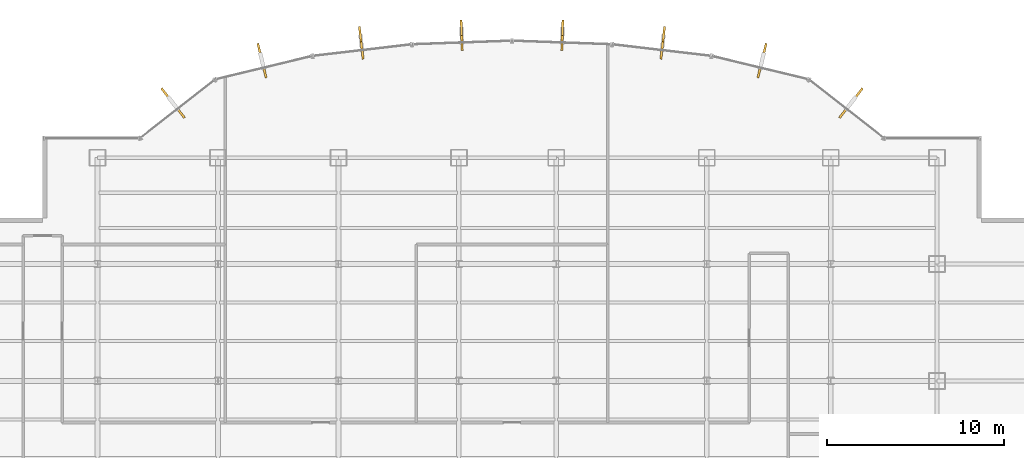
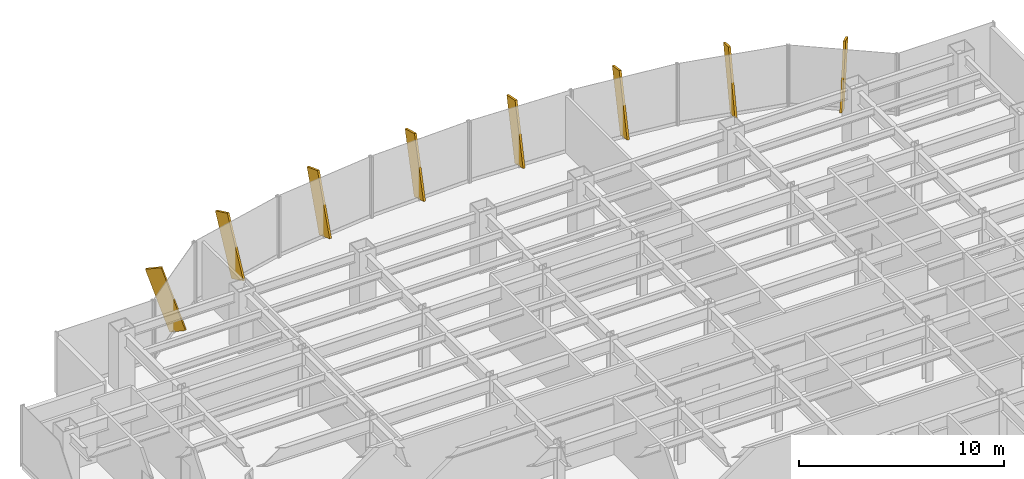
# One storey, part 21 of 22: 8 shading devices.
"""IFC4 building model written with IfcOpenShell, lengths in metres."""

from ifc_helpers import new_model, si_unit, derived_unit, direction, frame, origin, origin_2d, place, context, subcontext, project, spatial, rectangle, extrude, source, transform, mapped, material, type_object, element, save


model = new_model("IFC4")

# Units and contexts
model_context = context("Model", 3, precision=1e-05, world=origin(), true_north=direction((0.0, 1.0)))
body_context = subcontext(model_context, "Body", "Model", "MODEL_VIEW")
ifc_project = project(units=[si_unit("LENGTHUNIT", "METRE"), si_unit("AREAUNIT", "SQUARE_METRE"), si_unit("VOLUMEUNIT", "CUBIC_METRE"), si_unit("PLANEANGLEUNIT", "RADIAN"), si_unit("MASSUNIT", "GRAM", prefix="KILO"), derived_unit("THERMALTRANSMITTANCEUNIT", [(si_unit("POWERUNIT", "WATT"), 1), (si_unit("LENGTHUNIT", "METRE"), -2), (si_unit("THERMODYNAMICTEMPERATUREUNIT", "KELVIN"), -1)])], contexts=[model_context])

# Site, building, storey
site_placement = place(None, origin())
site = spatial("IfcSite", under=ifc_project, at=site_placement, CompositionType="ELEMENT")
building_placement = place(site_placement, origin())
building = spatial("IfcBuilding", under=site, at=building_placement, Name="Skarnbrae Concourse Arena and Tower", CompositionType="ELEMENT")
storey_placement = place(building_placement, frame((0.0, 0.0, 69.0)))
storey = spatial("IfcBuildingStorey", under=building, at=storey_placement, Name="L16", CompositionType="ELEMENT", Elevation=69.0)

# Shading devices
ifc_material = material(Name="Bronze anodised aluminium 6063-T6", Category="aluminium")
shading_device_type = type_object("IfcShadingDeviceType", Name="SHD-BRONZE-FIN-900", PredefinedType="USERDEFINED", material=ifc_material)
shared_shape = source(origin(), body_context, "Body", "SweptSolid", [
    extrude(rectangle(XDim=0.1201171875, YDim=0.89990234375, at=origin_2d()), origin(), (0.0, 0.0, 1.0), 3.64990234375),
])
for number, where, z_axis, x_axis, name in (
    (1, (49.74755859375, 42.982666015625, 0.115966796875), (0.216070241151, 0.276229215195, 0.936488692704), (0.787656027369, -0.616115234797, 0.0), "L16 Outward-leaning bronze shading fin 08"),
    (2, (44.983154296875, 45.326416015625, 0.092529296875), (0.073933727823, 0.305675430725, 0.949260941439), (0.971973311258, -0.235091221021, 0.0), "L16 Outward-leaning bronze shading fin 09"),
    (3, (39.454345703125, 46.391845703125, 0.069091796875), (0.031636196031, 0.270774248001, 0.962122891174), (0.993243759876, -0.116046686587, 0.0), "L16 Outward-leaning bronze shading fin 10"),
    (4, (33.826904296875, 46.899169921875, 0.048828125), (0.00824514504, 0.229561997551, 0.973259115993), (0.999355613141, -0.035893710914, 0.0), "L16 Outward-leaning bronze shading fin 11"),
    (5, (28.173095703125, 46.899169921875, 0.048828125), (-0.00824514504, 0.229561997551, 0.973259115993), (0.999355613141, 0.035893710914, 0.0), "L16 Outward-leaning bronze shading fin 12"),
    (6, (22.545654296875, 46.391845703125, 0.069091796875), (-0.031636196031, 0.270774248001, 0.962122891174), (0.993243759876, 0.116046686587, 0.0), "L16 Outward-leaning bronze shading fin 13"),
    (7, (17.016845703125, 45.326416015625, 0.092529296875), (-0.073933727823, 0.305675430725, 0.949260941439), (0.971973311258, 0.235091221021, 0.0), "L16 Outward-leaning bronze shading fin 14"),
    (8, (12.25244140625, 42.982666015625, 0.115966796875), (-0.216070241151, 0.276229215195, 0.936488692704), (0.787656027369, 0.616115234797, 0.0), "L16 Outward-leaning bronze shading fin 15"),
):
    element("IfcShadingDevice", number, at=place(storey_placement, frame(where, z_axis=z_axis, x_axis=x_axis)), inside=storey, type_object=shading_device_type, Name=name, ObjectType="FIN", PredefinedType="USERDEFINED", context=body_context, shape_type="MappedRepresentation", body=[
        mapped(shared_shape, transform((0.0, 0.0, 0.0))),
    ])

save(model, "model.ifc")
